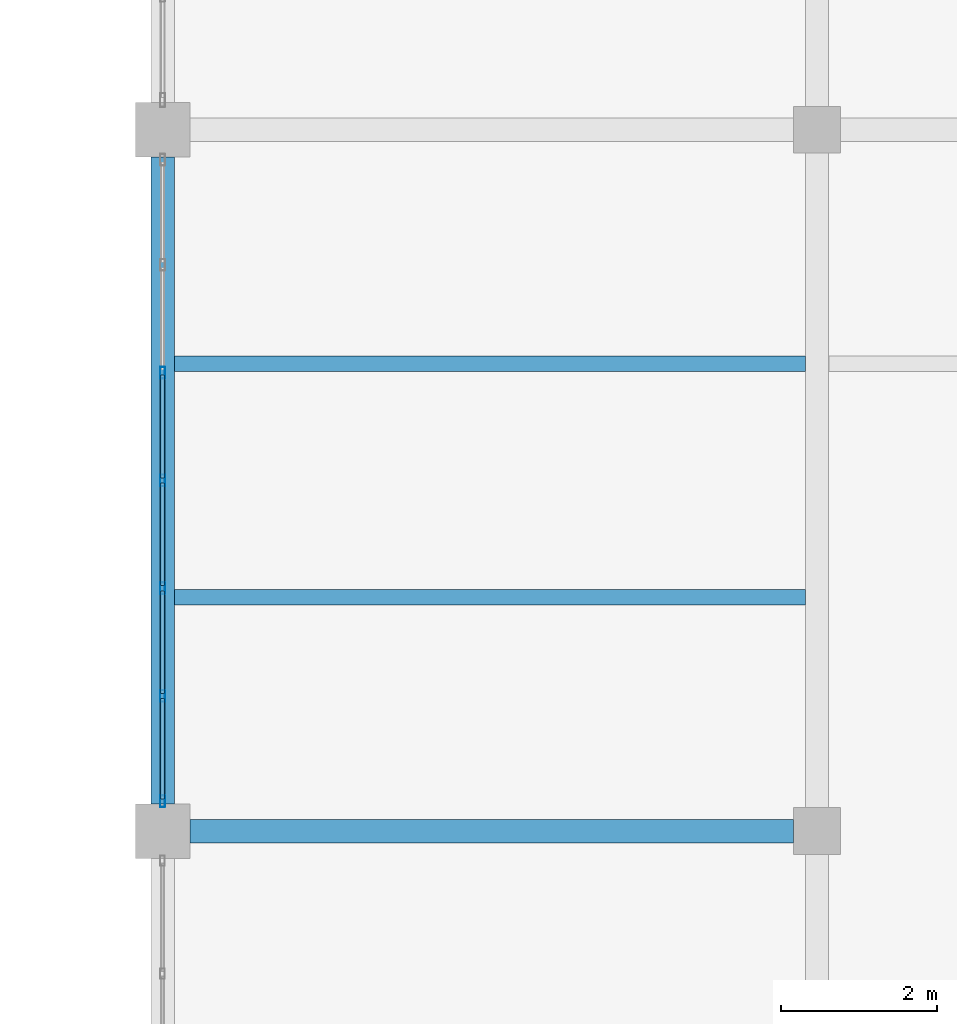
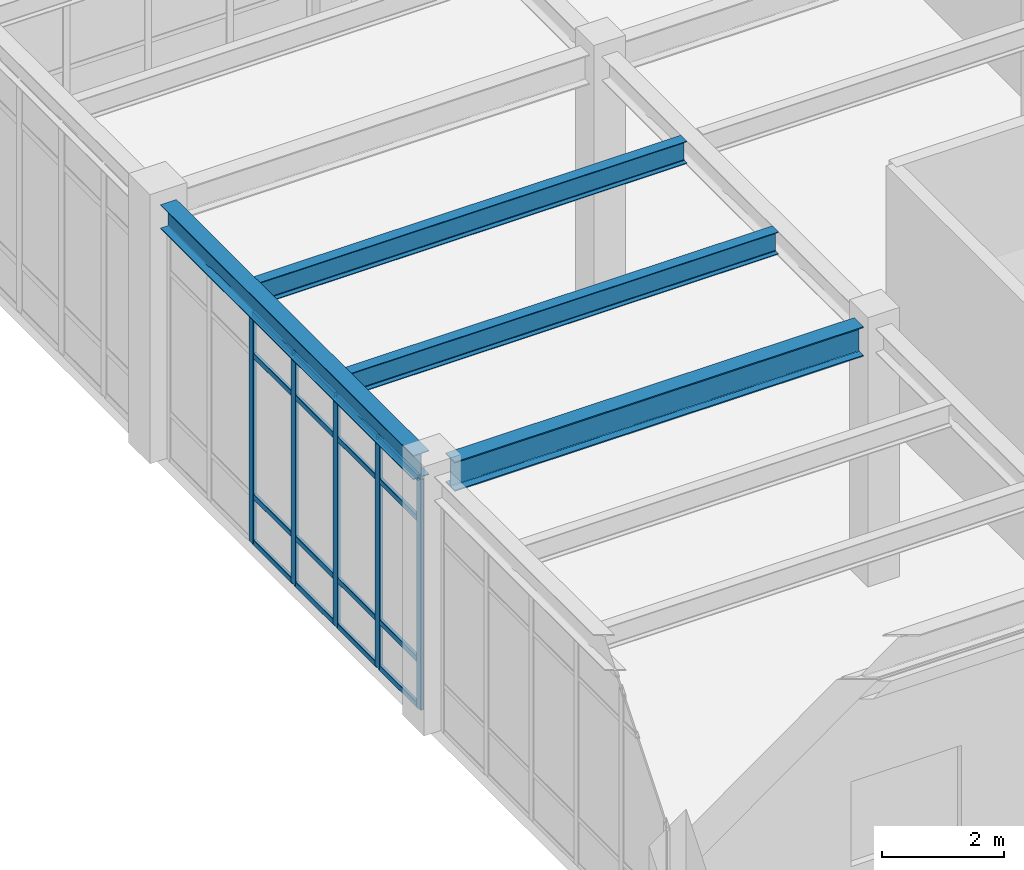
# One storey, part 33 of 80: 21 members, 4 beams, 1 element without a shape of its own.
"""IFC4 building model written with IfcOpenShell, lengths in metres."""

from ifc_helpers import new_model, si_unit, direction, frame, origin, origin_2d, place, context, subcontext, project, spatial, hollow_rectangle, i_section, extrude, material, material_profile, profile_set, type_object, element, aggregate, save


model = new_model("IFC4")

# Units and contexts
model_context = context("Model", 3, precision=1e-05, world=origin(), true_north=direction((0.0, 1.0)))
body_context = subcontext(model_context, "Body", "Model", "MODEL_VIEW")
ifc_project = project(units=[si_unit("LENGTHUNIT", "METRE"), si_unit("AREAUNIT", "SQUARE_METRE"), si_unit("VOLUMEUNIT", "CUBIC_METRE"), si_unit("PLANEANGLEUNIT", "RADIAN"), si_unit("MASSUNIT", "GRAM", prefix="KILO")], contexts=[model_context])

# Site, building, storey
site_placement = place(None, origin())
site = spatial("IfcSite", under=ifc_project, at=site_placement, CompositionType="ELEMENT")
building_placement = place(site_placement, origin())
building = spatial("IfcBuilding", under=site, at=building_placement, Name="Canglan Escarpment Cableway Terminal", CompositionType="ELEMENT")
storey_placement = place(building_placement, frame((0.0, 0.0, 19.199951171875)))
storey = spatial("IfcBuildingStorey", under=building, at=storey_placement, Name="L04", CompositionType="ELEMENT", Elevation=19.199951171875)

# Beams
ifc_material_1 = material(Name="Steel Q355B", Category="steel")
ifc_material_profile_1 = material_profile(ifc_material_1, i_section(OverallWidth=0.300048828125, OverallDepth=0.488037109375, WebThickness=0.010986328125, FlangeThickness=0.01806640625, FilletRadius=0.02587890625, at=origin_2d()), Name="HM 488x300x11x18")
ifc_profile_set_1 = profile_set([ifc_material_profile_1], Name="Steel Q355B")
beam_type_1 = type_object("IfcBeamType", Name="BM-HM488", PredefinedType="BEAM", material=ifc_profile_set_1)
beam_1_placement = place(storey_placement, frame((111.5, 97.35009765625, 4.885986328125), z_axis=(0.0, 1.0, 0.0), x_axis=(-1.0, 0.0, 0.0)))
element("IfcBeam", 1, at=beam_1_placement, inside=storey, type_object=beam_type_1, Name="Primary transverse girder B-09", PredefinedType="BEAM", context=body_context, shape_type="SweptSolid", body=[
    extrude(i_section(OverallWidth=0.300048828125, OverallDepth=0.488037109375, WebThickness=0.010986328125, FlangeThickness=0.01806640625, FilletRadius=0.02587890625, at=origin_2d()), origin(), (0.0, 0.0, 1.0), 8.2998046875),
])
ifc_material_2 = material(Name="Steel Q355C", Category="steel")
ifc_material_profile_2 = material_profile(ifc_material_2, i_section(OverallWidth=0.302001953125, OverallDepth=0.593994140625, WebThickness=0.013916015625, FlangeThickness=0.02294921875, FilletRadius=0.028076171875, at=origin_2d()), Name="HM 594x302x14x23")
ifc_profile_set_2 = profile_set([ifc_material_profile_2], Name="Steel Q355C")
beam_type_2 = type_object("IfcBeamType", Name="BM-HM594", PredefinedType="BEAM", material=ifc_profile_set_2)
beam_2_placement = place(storey_placement, frame((111.85009765625, 97.0, 4.8330078125), z_axis=(1.0, 0.0, 0.0), x_axis=(0.0, 1.0, 0.0)))
element("IfcBeam", 2, at=beam_2_placement, inside=storey, type_object=beam_type_2, Name="Primary structural girder B-07", PredefinedType="BEAM", context=body_context, shape_type="SweptSolid", body=[
    extrude(i_section(OverallWidth=0.302001953125, OverallDepth=0.593994140625, WebThickness=0.013916015625, FlangeThickness=0.02294921875, FilletRadius=0.028076171875, at=origin_2d()), origin(), (0.0, 0.0, 1.0), 7.75),
])

# Curtain wall, members
ifc_material_3 = material(Name="Anodized bronze aluminium and Low-E double glazing", Category="aluminium")
curtain_wall_type = type_object("IfcCurtainWallType", Name="CW-BAY-8300x4625", PredefinedType="NOTDEFINED", material=ifc_material_3)
curtain_wall_placement = place(storey_placement, origin())
curtain_wall = element("IfcCurtainWall", 3, at=curtain_wall_placement, inside=storey, type_object=curtain_wall_type, Name="Classical bay-between-piers glazed curtain wall CW-56", PredefinedType="NOTDEFINED")
ifc_material_4 = material(Name="Thermally broken anodized aluminium 6063-T6", Category="aluminium")
ifc_material_profile_3 = material_profile(ifc_material_4, hollow_rectangle(XDim=0.06494140625, YDim=0.14990234375, WallThickness=0.00341796875, InnerFilletRadius=0.00341796875, OuterFilletRadius=0.007080078125, at=origin_2d()), Name="ALU-MULL 65x150x3.5")
ifc_profile_set_3 = profile_set([ifc_material_profile_3], Name="Thermally broken anodized aluminium 6063-T6")
member_type_1 = type_object("IfcMemberType", Name="CWM-02", PredefinedType="MULLION", material=ifc_profile_set_3)
member_1_placement = place(storey_placement, frame((111.5, 102.88330078125, 0.0), z_axis=(0.0, 0.0, 1.0), x_axis=(1.0, 0.0, 0.0)))
member_1 = element("IfcMember", 4, at=member_1_placement, type_object=member_type_1, Name="CW-56 mullion 3", PredefinedType="MULLION", context=body_context, shape_type="SweptSolid", body=[
    extrude(hollow_rectangle(XDim=0.06494140625, YDim=0.14990234375, WallThickness=0.00341796875, InnerFilletRadius=0.00341796875, OuterFilletRadius=0.007080078125, at=origin_2d()), origin(), (0.0, 0.0, 1.0), 4.626953125),
])
member_2_placement = place(storey_placement, frame((111.5, 101.5, 0.0), z_axis=(0.0, 0.0, 1.0), x_axis=(1.0, 0.0, 0.0)))
member_2 = element("IfcMember", 5, at=member_2_placement, type_object=member_type_1, Name="CW-56 mullion 4", PredefinedType="MULLION", context=body_context, shape_type="SweptSolid", body=[
    extrude(hollow_rectangle(XDim=0.06494140625, YDim=0.14990234375, WallThickness=0.00341796875, InnerFilletRadius=0.00341796875, OuterFilletRadius=0.007080078125, at=origin_2d()), origin(), (0.0, 0.0, 1.0), 4.626953125),
])
member_3_placement = place(storey_placement, frame((111.5, 100.11669921875, 0.0), z_axis=(0.0, 0.0, 1.0), x_axis=(1.0, 0.0, 0.0)))
member_3 = element("IfcMember", 6, at=member_3_placement, type_object=member_type_1, Name="CW-56 mullion 5", PredefinedType="MULLION", context=body_context, shape_type="SweptSolid", body=[
    extrude(hollow_rectangle(XDim=0.06494140625, YDim=0.14990234375, WallThickness=0.00341796875, InnerFilletRadius=0.00341796875, OuterFilletRadius=0.007080078125, at=origin_2d()), origin(), (0.0, 0.0, 1.0), 4.626953125),
])
member_4_placement = place(storey_placement, frame((111.5, 98.7333984375, 0.0), z_axis=(0.0, 0.0, 1.0), x_axis=(1.0, 0.0, 0.0)))
member_4 = element("IfcMember", 7, at=member_4_placement, type_object=member_type_1, Name="CW-56 mullion 6", PredefinedType="MULLION", context=body_context, shape_type="SweptSolid", body=[
    extrude(hollow_rectangle(XDim=0.06494140625, YDim=0.14990234375, WallThickness=0.00341796875, InnerFilletRadius=0.00341796875, OuterFilletRadius=0.007080078125, at=origin_2d()), origin(), (0.0, 0.0, 1.0), 4.626953125),
])
member_5_placement = place(storey_placement, frame((111.5, 97.382568359375, 0.0), z_axis=(0.0, 0.0, 1.0), x_axis=(1.0, 0.0, 0.0)))
member_5 = element("IfcMember", 8, at=member_5_placement, type_object=member_type_1, Name="CW-56 mullion 7", PredefinedType="MULLION", context=body_context, shape_type="SweptSolid", body=[
    extrude(hollow_rectangle(XDim=0.06494140625, YDim=0.14990234375, WallThickness=0.00341796875, InnerFilletRadius=0.00341796875, OuterFilletRadius=0.007080078125, at=origin_2d()), origin(), (0.0, 0.0, 1.0), 4.626953125),
])
ifc_material_profile_4 = material_profile(ifc_material_4, hollow_rectangle(XDim=0.06005859375, YDim=0.110107421875, WallThickness=0.0029296875, InnerFilletRadius=0.0029296875, OuterFilletRadius=0.006103515625, at=origin_2d()), Name="ALU-TRAN 60x110x3")
ifc_profile_set_4 = profile_set([ifc_material_profile_4], Name="Thermally broken anodized aluminium 6063-T6")
member_type_2 = type_object("IfcMemberType", Name="CWT-02", PredefinedType="USERDEFINED", material=ifc_profile_set_4)
member_6_placement = place(storey_placement, frame((111.5, 102.850830078125, 0.030029296875), z_axis=(0.0, -1.0, 0.0), x_axis=(1.0, 0.0, 0.0)))
member_6 = element("IfcMember", 9, at=member_6_placement, type_object=member_type_2, Name="CW-56 transom 3.1", ObjectType="TRANSOM", PredefinedType="USERDEFINED", context=body_context, shape_type="SweptSolid", body=[
    extrude(hollow_rectangle(XDim=0.06005859375, YDim=0.110107421875, WallThickness=0.0029296875, InnerFilletRadius=0.0029296875, OuterFilletRadius=0.006103515625, at=origin_2d()), origin(), (0.0, 0.0, 1.0), 1.318359375),
])
member_7_placement = place(storey_placement, frame((111.5, 102.850830078125, 0.949951171875), z_axis=(0.0, -1.0, 0.0), x_axis=(1.0, 0.0, 0.0)))
member_7 = element("IfcMember", 10, at=member_7_placement, type_object=member_type_2, Name="CW-56 transom 3.2", ObjectType="TRANSOM", PredefinedType="USERDEFINED", context=body_context, shape_type="SweptSolid", body=[
    extrude(hollow_rectangle(XDim=0.06005859375, YDim=0.110107421875, WallThickness=0.0029296875, InnerFilletRadius=0.0029296875, OuterFilletRadius=0.006103515625, at=origin_2d()), origin(), (0.0, 0.0, 1.0), 1.318359375),
])
member_8_placement = place(storey_placement, frame((111.5, 102.850830078125, 3.777099609375), z_axis=(0.0, -1.0, 0.0), x_axis=(1.0, 0.0, 0.0)))
member_8 = element("IfcMember", 11, at=member_8_placement, type_object=member_type_2, Name="CW-56 transom 3.3", ObjectType="TRANSOM", PredefinedType="USERDEFINED", context=body_context, shape_type="SweptSolid", body=[
    extrude(hollow_rectangle(XDim=0.06005859375, YDim=0.110107421875, WallThickness=0.0029296875, InnerFilletRadius=0.0029296875, OuterFilletRadius=0.006103515625, at=origin_2d()), origin(), (0.0, 0.0, 1.0), 1.318359375),
])
member_9_placement = place(storey_placement, frame((111.5, 102.850830078125, 4.59716796875), z_axis=(0.0, -1.0, 0.0), x_axis=(1.0, 0.0, 0.0)))
member_9 = element("IfcMember", 12, at=member_9_placement, type_object=member_type_2, Name="CW-56 transom 3.4", ObjectType="TRANSOM", PredefinedType="USERDEFINED", context=body_context, shape_type="SweptSolid", body=[
    extrude(hollow_rectangle(XDim=0.06005859375, YDim=0.110107421875, WallThickness=0.0029296875, InnerFilletRadius=0.0029296875, OuterFilletRadius=0.006103515625, at=origin_2d()), origin(), (0.0, 0.0, 1.0), 1.318359375),
])
member_10_placement = place(storey_placement, frame((111.5, 101.467529296875, 0.030029296875), z_axis=(0.0, -1.0, 0.0), x_axis=(1.0, 0.0, 0.0)))
member_10 = element("IfcMember", 13, at=member_10_placement, type_object=member_type_2, Name="CW-56 transom 4.1", ObjectType="TRANSOM", PredefinedType="USERDEFINED", context=body_context, shape_type="SweptSolid", body=[
    extrude(hollow_rectangle(XDim=0.06005859375, YDim=0.110107421875, WallThickness=0.0029296875, InnerFilletRadius=0.0029296875, OuterFilletRadius=0.006103515625, at=origin_2d()), origin(), (0.0, 0.0, 1.0), 1.318359375),
])
member_11_placement = place(storey_placement, frame((111.5, 101.467529296875, 0.949951171875), z_axis=(0.0, -1.0, 0.0), x_axis=(1.0, 0.0, 0.0)))
member_11 = element("IfcMember", 14, at=member_11_placement, type_object=member_type_2, Name="CW-56 transom 4.2", ObjectType="TRANSOM", PredefinedType="USERDEFINED", context=body_context, shape_type="SweptSolid", body=[
    extrude(hollow_rectangle(XDim=0.06005859375, YDim=0.110107421875, WallThickness=0.0029296875, InnerFilletRadius=0.0029296875, OuterFilletRadius=0.006103515625, at=origin_2d()), origin(), (0.0, 0.0, 1.0), 1.318359375),
])
member_12_placement = place(storey_placement, frame((111.5, 101.467529296875, 3.777099609375), z_axis=(0.0, -1.0, 0.0), x_axis=(1.0, 0.0, 0.0)))
member_12 = element("IfcMember", 15, at=member_12_placement, type_object=member_type_2, Name="CW-56 transom 4.3", ObjectType="TRANSOM", PredefinedType="USERDEFINED", context=body_context, shape_type="SweptSolid", body=[
    extrude(hollow_rectangle(XDim=0.06005859375, YDim=0.110107421875, WallThickness=0.0029296875, InnerFilletRadius=0.0029296875, OuterFilletRadius=0.006103515625, at=origin_2d()), origin(), (0.0, 0.0, 1.0), 1.318359375),
])
member_13_placement = place(storey_placement, frame((111.5, 101.467529296875, 4.59716796875), z_axis=(0.0, -1.0, 0.0), x_axis=(1.0, 0.0, 0.0)))
member_13 = element("IfcMember", 16, at=member_13_placement, type_object=member_type_2, Name="CW-56 transom 4.4", ObjectType="TRANSOM", PredefinedType="USERDEFINED", context=body_context, shape_type="SweptSolid", body=[
    extrude(hollow_rectangle(XDim=0.06005859375, YDim=0.110107421875, WallThickness=0.0029296875, InnerFilletRadius=0.0029296875, OuterFilletRadius=0.006103515625, at=origin_2d()), origin(), (0.0, 0.0, 1.0), 1.318359375),
])
member_14_placement = place(storey_placement, frame((111.5, 100.084228515625, 0.030029296875), z_axis=(0.0, -1.0, 0.0), x_axis=(1.0, 0.0, 0.0)))
member_14 = element("IfcMember", 17, at=member_14_placement, type_object=member_type_2, Name="CW-56 transom 5.1", ObjectType="TRANSOM", PredefinedType="USERDEFINED", context=body_context, shape_type="SweptSolid", body=[
    extrude(hollow_rectangle(XDim=0.06005859375, YDim=0.110107421875, WallThickness=0.0029296875, InnerFilletRadius=0.0029296875, OuterFilletRadius=0.006103515625, at=origin_2d()), origin(), (0.0, 0.0, 1.0), 1.318359375),
])
member_15_placement = place(storey_placement, frame((111.5, 100.084228515625, 0.949951171875), z_axis=(0.0, -1.0, 0.0), x_axis=(1.0, 0.0, 0.0)))
member_15 = element("IfcMember", 18, at=member_15_placement, type_object=member_type_2, Name="CW-56 transom 5.2", ObjectType="TRANSOM", PredefinedType="USERDEFINED", context=body_context, shape_type="SweptSolid", body=[
    extrude(hollow_rectangle(XDim=0.06005859375, YDim=0.110107421875, WallThickness=0.0029296875, InnerFilletRadius=0.0029296875, OuterFilletRadius=0.006103515625, at=origin_2d()), origin(), (0.0, 0.0, 1.0), 1.318359375),
])
member_16_placement = place(storey_placement, frame((111.5, 100.084228515625, 3.777099609375), z_axis=(0.0, -1.0, 0.0), x_axis=(1.0, 0.0, 0.0)))
member_16 = element("IfcMember", 19, at=member_16_placement, type_object=member_type_2, Name="CW-56 transom 5.3", ObjectType="TRANSOM", PredefinedType="USERDEFINED", context=body_context, shape_type="SweptSolid", body=[
    extrude(hollow_rectangle(XDim=0.06005859375, YDim=0.110107421875, WallThickness=0.0029296875, InnerFilletRadius=0.0029296875, OuterFilletRadius=0.006103515625, at=origin_2d()), origin(), (0.0, 0.0, 1.0), 1.318359375),
])
member_17_placement = place(storey_placement, frame((111.5, 100.084228515625, 4.59716796875), z_axis=(0.0, -1.0, 0.0), x_axis=(1.0, 0.0, 0.0)))
member_17 = element("IfcMember", 20, at=member_17_placement, type_object=member_type_2, Name="CW-56 transom 5.4", ObjectType="TRANSOM", PredefinedType="USERDEFINED", context=body_context, shape_type="SweptSolid", body=[
    extrude(hollow_rectangle(XDim=0.06005859375, YDim=0.110107421875, WallThickness=0.0029296875, InnerFilletRadius=0.0029296875, OuterFilletRadius=0.006103515625, at=origin_2d()), origin(), (0.0, 0.0, 1.0), 1.318359375),
])
member_18_placement = place(storey_placement, frame((111.5, 98.700927734375, 0.030029296875), z_axis=(0.0, -1.0, 0.0), x_axis=(1.0, 0.0, 0.0)))
member_18 = element("IfcMember", 21, at=member_18_placement, type_object=member_type_2, Name="CW-56 transom 6.1", ObjectType="TRANSOM", PredefinedType="USERDEFINED", context=body_context, shape_type="SweptSolid", body=[
    extrude(hollow_rectangle(XDim=0.06005859375, YDim=0.110107421875, WallThickness=0.0029296875, InnerFilletRadius=0.0029296875, OuterFilletRadius=0.006103515625, at=origin_2d()), origin(), (0.0, 0.0, 1.0), 1.285888671875),
])
member_19_placement = place(storey_placement, frame((111.5, 98.700927734375, 0.949951171875), z_axis=(0.0, -1.0, 0.0), x_axis=(1.0, 0.0, 0.0)))
member_19 = element("IfcMember", 22, at=member_19_placement, type_object=member_type_2, Name="CW-56 transom 6.2", ObjectType="TRANSOM", PredefinedType="USERDEFINED", context=body_context, shape_type="SweptSolid", body=[
    extrude(hollow_rectangle(XDim=0.06005859375, YDim=0.110107421875, WallThickness=0.0029296875, InnerFilletRadius=0.0029296875, OuterFilletRadius=0.006103515625, at=origin_2d()), origin(), (0.0, 0.0, 1.0), 1.285888671875),
])
member_20_placement = place(storey_placement, frame((111.5, 98.700927734375, 3.777099609375), z_axis=(0.0, -1.0, 0.0), x_axis=(1.0, 0.0, 0.0)))
member_20 = element("IfcMember", 23, at=member_20_placement, type_object=member_type_2, Name="CW-56 transom 6.3", ObjectType="TRANSOM", PredefinedType="USERDEFINED", context=body_context, shape_type="SweptSolid", body=[
    extrude(hollow_rectangle(XDim=0.06005859375, YDim=0.110107421875, WallThickness=0.0029296875, InnerFilletRadius=0.0029296875, OuterFilletRadius=0.006103515625, at=origin_2d()), origin(), (0.0, 0.0, 1.0), 1.285888671875),
])
member_21_placement = place(storey_placement, frame((111.5, 98.700927734375, 4.59716796875), z_axis=(0.0, -1.0, 0.0), x_axis=(1.0, 0.0, 0.0)))
member_21 = element("IfcMember", 24, at=member_21_placement, type_object=member_type_2, Name="CW-56 transom 6.4", ObjectType="TRANSOM", PredefinedType="USERDEFINED", context=body_context, shape_type="SweptSolid", body=[
    extrude(hollow_rectangle(XDim=0.06005859375, YDim=0.110107421875, WallThickness=0.0029296875, InnerFilletRadius=0.0029296875, OuterFilletRadius=0.006103515625, at=origin_2d()), origin(), (0.0, 0.0, 1.0), 1.285888671875),
])
aggregate(curtain_wall, [member_1, member_2, member_3, member_4, member_5, member_6, member_7, member_8, member_9, member_10, member_11, member_12, member_13, member_14, member_15, member_16, member_17, member_18, member_19, member_20, member_21])

# Beams
ifc_material_profile_5 = material_profile(ifc_material_1, i_section(OverallWidth=0.199951171875, OverallDepth=0.449951171875, WebThickness=0.009033203125, FlangeThickness=0.013916015625, FilletRadius=0.01806640625, at=origin_2d()), Name="HN 450x200x9x14")
ifc_profile_set_5 = profile_set([ifc_material_profile_5], Name="Steel Q355B")
beam_type_3 = type_object("IfcBeamType", Name="JS-HN450", PredefinedType="JOIST", material=ifc_profile_set_5)
for number, where, z_axis, x_axis, name in (
    (25, (111.64990234375, 100.0, 4.905029296875), (1.0, 0.0, 0.0), (0.0, 1.0, 0.0), "Secondary composite deck joist J-02"),
    (26, (111.64990234375, 103.0, 4.905029296875), (1.0, 0.0, 0.0), (0.0, 1.0, 0.0), "Secondary composite deck joist J-02"),
):
    element("IfcBeam", number, at=place(storey_placement, frame(where, z_axis=z_axis, x_axis=x_axis)), inside=storey, type_object=beam_type_3, Name=name, PredefinedType="JOIST", context=body_context, shape_type="SweptSolid", body=[
        extrude(i_section(OverallWidth=0.199951171875, OverallDepth=0.449951171875, WebThickness=0.009033203125, FlangeThickness=0.013916015625, FilletRadius=0.01806640625, at=origin_2d()), origin(), (0.0, 0.0, 1.0), 8.10009765625),
    ])

save(model, "model.ifc")
